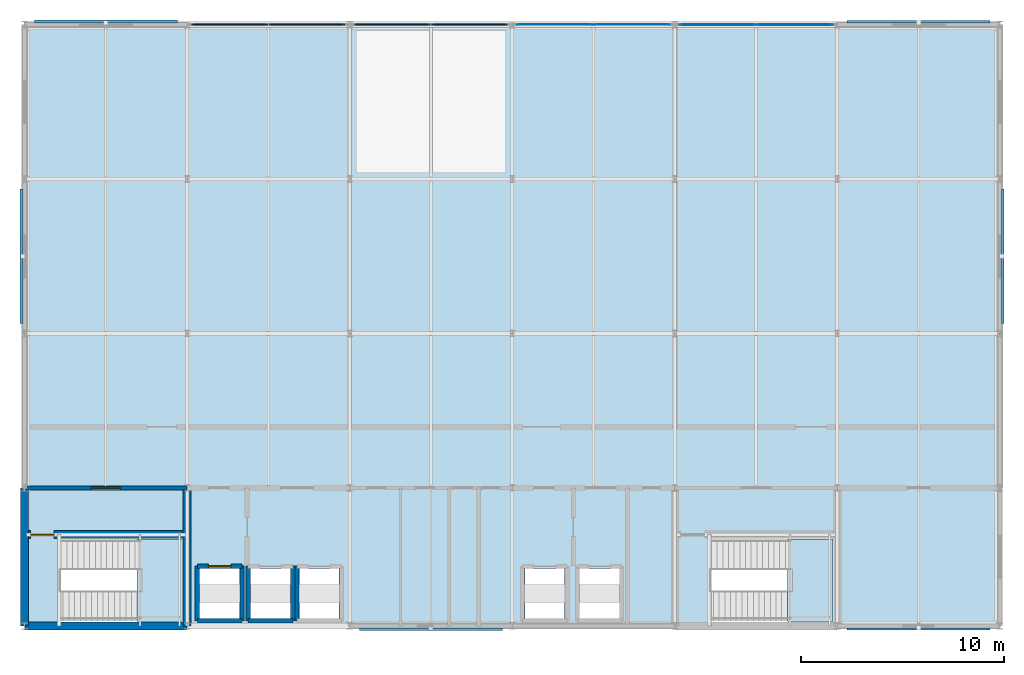
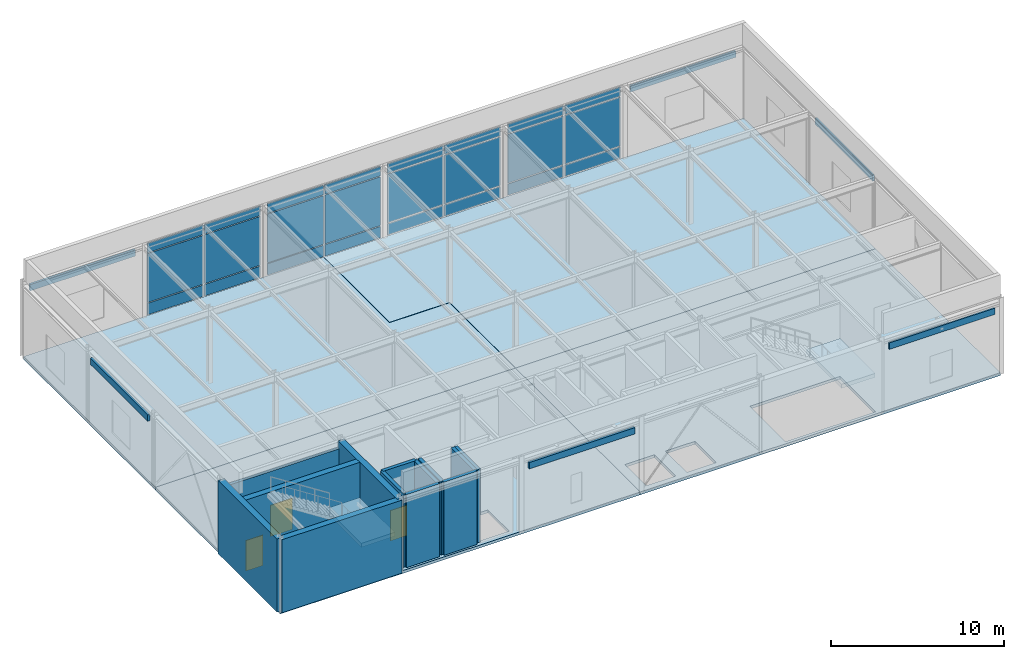
# One storey, part 8 of 12: 30 plates, 13 walls, 6 slabs, 3 doors, 3 openings, 6 elements without a shape of their own.
"""IFC4 building model written with IfcOpenShell, lengths in metres."""

from ifc_helpers import new_model, si_unit, direction, frame, frame_2d, origin, origin_2d, place, context, subcontext, project, spatial, polyline, rectangle, outline, extrude, material, layer, layer_set, type_object, element, fill, aggregate, save


model = new_model("IFC4")

# Units and contexts
model_context = context("Model", 3, precision=1e-05, world=origin(), true_north=direction((0.0, 1.0)))
body_context = subcontext(model_context, "Body", "Model", "MODEL_VIEW")
ifc_project = project(units=[si_unit("LENGTHUNIT", "METRE"), si_unit("AREAUNIT", "SQUARE_METRE"), si_unit("VOLUMEUNIT", "CUBIC_METRE"), si_unit("PLANEANGLEUNIT", "RADIAN"), si_unit("MASSUNIT", "GRAM", prefix="KILO")], contexts=[model_context])

# Site, building, storey
site_placement = place(None, origin())
site = spatial("IfcSite", under=ifc_project, at=site_placement, CompositionType="ELEMENT")
building_placement = place(site_placement, origin())
building = spatial("IfcBuilding", under=site, at=building_placement, Name="Shalkamar Park Central Library", CompositionType="ELEMENT")
storey_placement = place(building_placement, frame((0.0, 0.0, 72.300048828125)))
storey = spatial("IfcBuildingStorey", under=building, at=storey_placement, Name="L18", CompositionType="ELEMENT", Elevation=72.300048828125)

# Plates
ifc_material_1 = material(Name="Anodized bronze architectural frieze plate", Category="aluminium")
ifc_layer_1 = layer(ifc_material_1, 0.110107421875)
ifc_layer_set_1 = layer_set([ifc_layer_1], Name="BronzeSpandrelFriezePlate_110")
plate_type_1 = type_object("IfcPlateType", Name="Bronze Spandrel Frieze Plate 110", PredefinedType="USERDEFINED", material=ifc_layer_set_1)
for number, where, z_axis, x_axis, name in (
    (1, (209.0, 248.260009765625, 4.38818359375), (0.0, 0.0, 1.0), (1.0, 0.0, 0.0), "Bronze Spandrel Frieze Plate L18-059"),
    (2, (209.0, 278.139892578125, 4.38818359375), (0.0, 0.0, 1.0), (1.0, 0.0, 0.0), "Bronze Spandrel Frieze Plate L18-061"),
):
    element("IfcPlate", number, at=place(storey_placement, frame(where, z_axis=z_axis, x_axis=x_axis)), inside=storey, type_object=plate_type_1, Name=name, ObjectType="CLADDING", PredefinedType="USERDEFINED", context=body_context, shape_type="SweptSolid", body=[
        extrude(rectangle(XDim=7.028076171875, YDim=0.110107421875, at=origin_2d()), origin(), (0.0, 0.0, 1.0), 0.449951171875),
    ])
plate_1_placement = place(storey_placement, frame((213.139892578125, 266.60009765625, 4.427734375), z_axis=(0.0, 0.0, 1.0), x_axis=(1.0, 0.0, 0.0)))
element("IfcPlate", 3, at=plate_1_placement, inside=storey, type_object=plate_type_1, Name="Bronze Spandrel Frieze Plate L18-063", ObjectType="CLADDING", PredefinedType="USERDEFINED", context=body_context, shape_type="SweptSolid", body=[
    extrude(rectangle(XDim=0.110107421875, YDim=6.6279296875, at=origin_2d()), origin(), (0.0, 0.0, 1.0), 0.449951171875),
])
ifc_material_2 = material(Name="Anodized bronze stepped frieze plate", Category="aluminium")
ifc_layer_2 = layer(ifc_material_2, 0.139892578125)
ifc_layer_set_2 = layer_set([ifc_layer_2], Name="PostmodernKeystoneFriezePlate_140")
plate_type_2 = type_object("IfcPlateType", Name="Postmodern Keystone Frieze Plate 140", PredefinedType="USERDEFINED", material=ifc_layer_set_2)
for number, where, z_axis, x_axis, name in (
    (4, (185.0, 248.2451171875, 4.38818359375), (0.0, 0.0, 1.0), (1.0, 0.0, 0.0), "Bronze Spandrel Frieze Plate L18-058"),
    (5, (169.0, 278.155029296875, 4.38818359375), (0.0, 0.0, 1.0), (1.0, 0.0, 0.0), "Bronze Spandrel Frieze Plate L18-060"),
):
    element("IfcPlate", number, at=place(storey_placement, frame(where, z_axis=z_axis, x_axis=x_axis)), inside=storey, type_object=plate_type_2, Name=name, ObjectType="CLADDING", PredefinedType="USERDEFINED", context=body_context, shape_type="SweptSolid", body=[
        extrude(rectangle(XDim=7.028076171875, YDim=0.139892578125, at=origin_2d()), origin(), (0.0, 0.0, 1.0), 0.449951171875),
    ])
plate_2_placement = place(storey_placement, frame((164.844970703125, 266.60009765625, 4.427734375), z_axis=(0.0, 0.0, 1.0), x_axis=(1.0, 0.0, 0.0)))
element("IfcPlate", 6, at=plate_2_placement, inside=storey, type_object=plate_type_2, Name="Bronze Spandrel Frieze Plate L18-062", ObjectType="CLADDING", PredefinedType="USERDEFINED", context=body_context, shape_type="SweptSolid", body=[
    extrude(rectangle(XDim=0.139892578125, YDim=6.6279296875, at=origin_2d()), origin(), (0.0, 0.0, 1.0), 0.449951171875),
])

# Curtain wall, plates
ifc_material_3 = material(Name="Thermally broken aluminium and triple low-e curtain wall", Category="aluminium")
ifc_layer_3 = layer(ifc_material_3, 0.27001953125)
ifc_layer_set_3 = layer_set([ifc_layer_3], Name="UnitisedCurtainWall_113")
curtain_wall_type_1 = type_object("IfcCurtainWallType", Name="Unitised Curtain Wall 113", PredefinedType="USERDEFINED", material=ifc_layer_set_3)
curtain_wall_1_placement = place(storey_placement, origin())
curtain_wall_1 = element("IfcCurtainWall", 7, at=curtain_wall_1_placement, inside=storey, type_object=curtain_wall_type_1, Name="Unitised Curtain Wall CW-L18-170", ObjectType="UNITISED CURTAIN WALL", PredefinedType="USERDEFINED")
ifc_material_4 = material(Name="Triple-glazed solar-control glass", Category="glass")
ifc_layer_4 = layer(ifc_material_4, 0.031982421875)
ifc_layer_set_4 = layer_set([ifc_layer_4], Name="SolarControlVisionPanel_32")
plate_type_3 = type_object("IfcPlateType", Name="Solar Control Vision Panel 32", PredefinedType="CURTAIN_PANEL", material=ifc_layer_set_4)
plate_3_placement = place(storey_placement, frame((191.094482421875, 278.0, 0.06494140625), z_axis=(0.0, 0.0, 1.0), x_axis=(1.0, 0.0, 0.0)))
plate_3 = element("IfcPlate", 8, at=plate_3_placement, type_object=plate_type_3, Name="CW-113 panel 1.1", PredefinedType="CURTAIN_PANEL", context=body_context, shape_type="SweptSolid", body=[
    extrude(rectangle(XDim=3.720947265625, YDim=0.031982421875, at=origin_2d()), origin(), (0.0, 0.0, 1.0), 0.802490234375),
])
plate_4_placement = place(storey_placement, frame((191.094482421875, 278.0, 0.932373046875), z_axis=(0.0, 0.0, 1.0), x_axis=(1.0, 0.0, 0.0)))
plate_4 = element("IfcPlate", 9, at=plate_4_placement, type_object=plate_type_3, Name="CW-113 panel 1.2", PredefinedType="CURTAIN_PANEL", context=body_context, shape_type="SweptSolid", body=[
    extrude(rectangle(XDim=3.720947265625, YDim=0.031982421875, at=origin_2d()), origin(), (0.0, 0.0, 1.0), 3.43505859375),
])
plate_5_placement = place(storey_placement, frame((191.094482421875, 278.0, 4.4326171875), z_axis=(0.0, 0.0, 1.0), x_axis=(1.0, 0.0, 0.0)))
plate_5 = element("IfcPlate", 10, at=plate_5_placement, type_object=plate_type_3, Name="CW-113 panel 1.3", PredefinedType="CURTAIN_PANEL", context=body_context, shape_type="SweptSolid", body=[
    extrude(rectangle(XDim=3.720947265625, YDim=0.031982421875, at=origin_2d()), origin(), (0.0, 0.0, 1.0), 0.652587890625),
])
plate_6_placement = place(storey_placement, frame((194.8955078125, 278.0, 0.06494140625), z_axis=(0.0, 0.0, 1.0), x_axis=(1.0, 0.0, 0.0)))
plate_6 = element("IfcPlate", 11, at=plate_6_placement, type_object=plate_type_3, Name="CW-113 panel 2.1", PredefinedType="CURTAIN_PANEL", context=body_context, shape_type="SweptSolid", body=[
    extrude(rectangle(XDim=3.720947265625, YDim=0.031982421875, at=origin_2d()), origin(), (0.0, 0.0, 1.0), 0.802490234375),
])
plate_7_placement = place(storey_placement, frame((194.8955078125, 278.0, 0.932373046875), z_axis=(0.0, 0.0, 1.0), x_axis=(1.0, 0.0, 0.0)))
plate_7 = element("IfcPlate", 12, at=plate_7_placement, type_object=plate_type_3, Name="CW-113 panel 2.2", PredefinedType="CURTAIN_PANEL", context=body_context, shape_type="SweptSolid", body=[
    extrude(rectangle(XDim=3.720947265625, YDim=0.031982421875, at=origin_2d()), origin(), (0.0, 0.0, 1.0), 3.43505859375),
])
plate_8_placement = place(storey_placement, frame((194.8955078125, 278.0, 4.4326171875), z_axis=(0.0, 0.0, 1.0), x_axis=(1.0, 0.0, 0.0)))
plate_8 = element("IfcPlate", 13, at=plate_8_placement, type_object=plate_type_3, Name="CW-113 panel 2.3", PredefinedType="CURTAIN_PANEL", context=body_context, shape_type="SweptSolid", body=[
    extrude(rectangle(XDim=3.720947265625, YDim=0.031982421875, at=origin_2d()), origin(), (0.0, 0.0, 1.0), 0.652587890625),
])
aggregate(curtain_wall_1, [plate_3, plate_4, plate_5, plate_6, plate_7, plate_8])

ifc_layer_5 = layer(ifc_material_3, 0.2548828125)
ifc_layer_set_5 = layer_set([ifc_layer_5], Name="UnitisedCurtainWall_112")
curtain_wall_type_2 = type_object("IfcCurtainWallType", Name="Unitised Curtain Wall 112", PredefinedType="USERDEFINED", material=ifc_layer_set_5)
curtain_wall_2_placement = place(storey_placement, origin())
curtain_wall_2 = element("IfcCurtainWall", 14, at=curtain_wall_2_placement, inside=storey, type_object=curtain_wall_type_2, Name="Unitised Curtain Wall CW-L18-169", ObjectType="UNITISED CURTAIN WALL", PredefinedType="USERDEFINED")
ifc_material_5 = material(Name="Insulated aluminium spandrel panel", Category="aluminium")
ifc_layer_6 = layer(ifc_material_5, 0.080078125)
ifc_layer_set_6 = layer_set([ifc_layer_6], Name="SpandrelShadowboxPanel_80")
plate_type_4 = type_object("IfcPlateType", Name="Spandrel Shadowbox Panel 80", PredefinedType="CURTAIN_PANEL", material=ifc_layer_set_6)
plate_9_placement = place(storey_placement, frame((183.1044921875, 278.0, 0.06494140625), z_axis=(0.0, 0.0, 1.0), x_axis=(1.0, 0.0, 0.0)))
plate_9 = element("IfcPlate", 15, at=plate_9_placement, type_object=plate_type_4, Name="CW-112 panel 1.1", PredefinedType="CURTAIN_PANEL", context=body_context, shape_type="SweptSolid", body=[
    extrude(rectangle(XDim=3.720947265625, YDim=0.080078125, at=origin_2d()), origin(), (0.0, 0.0, 1.0), 0.802490234375),
])
plate_10_placement = place(storey_placement, frame((183.1044921875, 278.0, 0.932373046875), z_axis=(0.0, 0.0, 1.0), x_axis=(1.0, 0.0, 0.0)))
plate_10 = element("IfcPlate", 16, at=plate_10_placement, type_object=plate_type_4, Name="CW-112 panel 1.2", PredefinedType="CURTAIN_PANEL", context=body_context, shape_type="SweptSolid", body=[
    extrude(rectangle(XDim=3.720947265625, YDim=0.080078125, at=origin_2d()), origin(), (0.0, 0.0, 1.0), 3.43505859375),
])
plate_11_placement = place(storey_placement, frame((183.1044921875, 278.0, 4.4326171875), z_axis=(0.0, 0.0, 1.0), x_axis=(1.0, 0.0, 0.0)))
plate_11 = element("IfcPlate", 17, at=plate_11_placement, type_object=plate_type_4, Name="CW-112 panel 1.3", PredefinedType="CURTAIN_PANEL", context=body_context, shape_type="SweptSolid", body=[
    extrude(rectangle(XDim=3.720947265625, YDim=0.080078125, at=origin_2d()), origin(), (0.0, 0.0, 1.0), 0.652587890625),
])
plate_12_placement = place(storey_placement, frame((186.905517578125, 278.0, 0.06494140625), z_axis=(0.0, 0.0, 1.0), x_axis=(1.0, 0.0, 0.0)))
plate_12 = element("IfcPlate", 18, at=plate_12_placement, type_object=plate_type_4, Name="CW-112 panel 2.1", PredefinedType="CURTAIN_PANEL", context=body_context, shape_type="SweptSolid", body=[
    extrude(rectangle(XDim=3.720947265625, YDim=0.080078125, at=origin_2d()), origin(), (0.0, 0.0, 1.0), 0.802490234375),
])
plate_13_placement = place(storey_placement, frame((186.905517578125, 278.0, 0.932373046875), z_axis=(0.0, 0.0, 1.0), x_axis=(1.0, 0.0, 0.0)))
plate_13 = element("IfcPlate", 19, at=plate_13_placement, type_object=plate_type_4, Name="CW-112 panel 2.2", PredefinedType="CURTAIN_PANEL", context=body_context, shape_type="SweptSolid", body=[
    extrude(rectangle(XDim=3.720947265625, YDim=0.080078125, at=origin_2d()), origin(), (0.0, 0.0, 1.0), 3.43505859375),
])
plate_14_placement = place(storey_placement, frame((186.905517578125, 278.0, 4.4326171875), z_axis=(0.0, 0.0, 1.0), x_axis=(1.0, 0.0, 0.0)))
plate_14 = element("IfcPlate", 20, at=plate_14_placement, type_object=plate_type_4, Name="CW-112 panel 2.3", PredefinedType="CURTAIN_PANEL", context=body_context, shape_type="SweptSolid", body=[
    extrude(rectangle(XDim=3.720947265625, YDim=0.080078125, at=origin_2d()), origin(), (0.0, 0.0, 1.0), 0.652587890625),
])
aggregate(curtain_wall_2, [plate_9, plate_10, plate_11, plate_12, plate_13, plate_14])

# Stair, slab
ifc_material_6 = material(Name="Concrete C35/45", Category="concrete")
stair_type = type_object("IfcStairType", Name="Protected Dog Leg Stair 150x540", PredefinedType="TWO_STRAIGHT_RUN_STAIR", material=ifc_material_6)
stair_1_placement = place(storey_placement, origin())
stair_1 = element("IfcStair", 21, at=stair_1_placement, inside=storey, type_object=stair_type, Name="Protected Core Stair ST-T1-L18", PredefinedType="TWO_STRAIGHT_RUN_STAIR")
ifc_layer_7 = layer(ifc_material_6, 0.280029296875)
ifc_layer_set_7 = layer_set([ifc_layer_7], Name="Concrete C35/45")
slab_type_1 = type_object("IfcSlabType", Name="Stair Landing Slab 160", PredefinedType="LANDING", material=ifc_layer_set_7)
slab_1_placement = place(storey_placement, frame((0.0, 0.0, 2.419921875)))
slab_1 = element("IfcSlab", 22, at=slab_1_placement, type_object=slab_type_1, Name="ST-T1-L18 landing 1", PredefinedType="LANDING", context=body_context, shape_type="SweptSolid", body=[
    extrude(outline(polyline([(170.5400390625, 248.6201171875), (172.780029296875, 248.6201171875), (172.780029296875, 252.679931640625), (170.5400390625, 252.679931640625), (170.5400390625, 248.6201171875)])), origin(), (0.0, 0.0, 1.0), 0.280029296875),
])
aggregate(stair_1, [slab_1])

stair_2_placement = place(storey_placement, origin())
stair_2 = element("IfcStair", 23, at=stair_2_placement, inside=storey, type_object=stair_type, Name="Protected Core Stair ST-T2-L18", PredefinedType="TWO_STRAIGHT_RUN_STAIR")
slab_2_placement = place(storey_placement, frame((0.0, 0.0, 2.419921875)))
slab_2 = element("IfcSlab", 24, at=slab_2_placement, type_object=slab_type_1, Name="ST-T2-L18 landing 1", PredefinedType="LANDING", context=body_context, shape_type="SweptSolid", body=[
    extrude(outline(polyline([(202.5400390625, 248.6201171875), (204.780029296875, 248.6201171875), (204.780029296875, 252.679931640625), (202.5400390625, 252.679931640625), (202.5400390625, 248.6201171875)])), origin(), (0.0, 0.0, 1.0), 0.280029296875),
])
aggregate(stair_2, [slab_2])

# Slabs
ifc_layer_8 = layer(ifc_material_6, 0.199951171875)
ifc_layer_set_8 = layer_set([ifc_layer_8], Name="Concrete C35/45")
slab_type_2 = type_object("IfcSlabType", Name="Suspended Floor Slab 200", PredefinedType="FLOOR", material=ifc_layer_set_8)
slab_3_placement = place(storey_placement, frame((0.0, 0.0, -0.199951171875)))
element("IfcSlab", 25, at=slab_3_placement, inside=storey, type_object=slab_type_2, Name="Level L18 Composite Floor Slab NW", PredefinedType="FLOOR", context=body_context, shape_type="SweptSolid", body=[
    extrude(outline(polyline([(165.0, 262.800048828125), (188.989990234375, 262.800048828125), (188.989990234375, 270.389892578125), (184.989990234375, 270.389892578125), (184.989990234375, 278.0), (165.0, 278.0), (165.0, 262.800048828125)])), origin(), (0.0, 0.0, 1.0), 0.199951171875),
])
slab_4_placement = place(storey_placement, frame((0.0, 0.0, -0.199951171875)))
element("IfcSlab", 26, at=slab_4_placement, inside=storey, type_object=slab_type_2, Name="Level L18 Composite Floor Slab NE", PredefinedType="FLOOR", context=body_context, shape_type="SweptSolid", body=[
    extrude(outline(polyline([(189.010009765625, 262.800048828125), (213.0, 262.800048828125), (213.0, 278.0), (185.010009765625, 278.0), (185.010009765625, 270.409912109375), (189.010009765625, 270.409912109375), (189.010009765625, 262.800048828125)])), origin(), (0.0, 0.0, 1.0), 0.199951171875),
])
slab_5_placement = place(storey_placement, frame((0.0, 0.0, -0.199951171875)))
element("IfcSlab", 27, at=slab_5_placement, inside=storey, type_object=slab_type_2, Name="Level L18 Composite Floor Slab SW", PredefinedType="FLOOR", context=body_context, shape_type="SweptSolid", body=[
    extrude(outline(polyline([(165.0, 248.39990234375), (165.0, 262.800048828125), (189.0, 262.800048828125), (189.0, 248.39990234375), (165.0, 248.39990234375)]), holes=[polyline([(173.6201171875, 248.77001953125), (175.580078125, 248.77001953125), (175.580078125, 251.22998046875), (173.6201171875, 251.22998046875), (173.6201171875, 248.77001953125)]), polyline([(176.1201171875, 251.22998046875), (176.1201171875, 248.77001953125), (178.080078125, 248.77001953125), (178.080078125, 251.22998046875), (176.1201171875, 251.22998046875)]), polyline([(178.52001953125, 251.22998046875), (178.52001953125, 248.77001953125), (180.47998046875, 248.77001953125), (180.47998046875, 251.22998046875), (178.52001953125, 251.22998046875)]), polyline([(166.800048828125, 252.699951171875), (166.800048828125, 248.60009765625), (172.800048828125, 248.60009765625), (172.800048828125, 252.699951171875), (166.800048828125, 252.699951171875)])]), origin(), (0.0, 0.0, 1.0), 0.199951171875),
])
slab_6_placement = place(storey_placement, frame((0.0, 0.0, -0.199951171875)))
element("IfcSlab", 28, at=slab_6_placement, inside=storey, type_object=slab_type_2, Name="Level L18 Composite Floor Slab SE", PredefinedType="FLOOR", context=body_context, shape_type="SweptSolid", body=[
    extrude(outline(polyline([(189.0, 248.39990234375), (189.0, 262.800048828125), (213.0, 262.800048828125), (213.0, 248.39990234375), (189.0, 248.39990234375)]), holes=[polyline([(189.6201171875, 251.22998046875), (189.6201171875, 248.77001953125), (191.580078125, 248.77001953125), (191.580078125, 251.22998046875), (189.6201171875, 251.22998046875)]), polyline([(192.320068359375, 251.22998046875), (192.320068359375, 248.77001953125), (194.280029296875, 248.77001953125), (194.280029296875, 251.22998046875), (192.320068359375, 251.22998046875)]), polyline([(198.800048828125, 252.699951171875), (198.800048828125, 248.60009765625), (204.800048828125, 248.60009765625), (204.800048828125, 252.699951171875), (198.800048828125, 252.699951171875)])]), origin(), (0.0, 0.0, 1.0), 0.199951171875),
])

# Curtain wall, plates
ifc_layer_9 = layer(ifc_material_3, 0.260009765625)
ifc_layer_set_9 = layer_set([ifc_layer_9], Name="UnitisedCurtainWall_111")
curtain_wall_type_3 = type_object("IfcCurtainWallType", Name="Unitised Curtain Wall 111", PredefinedType="USERDEFINED", material=ifc_layer_set_9)
curtain_wall_3_placement = place(storey_placement, origin())
curtain_wall_3 = element("IfcCurtainWall", 29, at=curtain_wall_3_placement, inside=storey, type_object=curtain_wall_type_3, Name="Unitised Curtain Wall CW-L18-168", ObjectType="UNITISED CURTAIN WALL", PredefinedType="USERDEFINED")
ifc_material_7 = material(Name="Triple-glazed laminated glass", Category="glass")
ifc_layer_10 = layer(ifc_material_7, 0.06005859375)
ifc_layer_set_10 = layer_set([ifc_layer_10], Name="TripleGlazedPodiumPanel_60")
plate_type_5 = type_object("IfcPlateType", Name="Triple Glazed Podium Panel 60", PredefinedType="CURTAIN_PANEL", material=ifc_layer_set_10)
plate_15_placement = place(storey_placement, frame((175.09326171875, 278.0, 0.059814453125), z_axis=(0.0, 0.0, 1.0), x_axis=(1.0, 0.0, 0.0)))
plate_15 = element("IfcPlate", 30, at=plate_15_placement, type_object=plate_type_5, Name="CW-111 panel 1.1", PredefinedType="CURTAIN_PANEL", context=body_context, shape_type="SweptSolid", body=[
    extrude(rectangle(XDim=3.728515625, YDim=0.06005859375, at=origin_2d()), origin(), (0.0, 0.0, 1.0), 0.81005859375),
])
plate_16_placement = place(storey_placement, frame((175.09326171875, 278.0, 0.929931640625), z_axis=(0.0, 0.0, 1.0), x_axis=(1.0, 0.0, 0.0)))
plate_16 = element("IfcPlate", 31, at=plate_16_placement, type_object=plate_type_5, Name="CW-111 panel 1.2", PredefinedType="CURTAIN_PANEL", context=body_context, shape_type="SweptSolid", body=[
    extrude(rectangle(XDim=3.728515625, YDim=0.06005859375, at=origin_2d()), origin(), (0.0, 0.0, 1.0), 3.43994140625),
])
plate_17_placement = place(storey_placement, frame((175.09326171875, 278.0, 4.43017578125), z_axis=(0.0, 0.0, 1.0), x_axis=(1.0, 0.0, 0.0)))
plate_17 = element("IfcPlate", 32, at=plate_17_placement, type_object=plate_type_5, Name="CW-111 panel 1.3", PredefinedType="CURTAIN_PANEL", context=body_context, shape_type="SweptSolid", body=[
    extrude(rectangle(XDim=3.728515625, YDim=0.06005859375, at=origin_2d()), origin(), (0.0, 0.0, 1.0), 0.659912109375),
])
plate_18_placement = place(storey_placement, frame((178.896728515625, 278.0, 0.059814453125), z_axis=(0.0, 0.0, 1.0), x_axis=(1.0, 0.0, 0.0)))
plate_18 = element("IfcPlate", 33, at=plate_18_placement, type_object=plate_type_5, Name="CW-111 panel 2.1", PredefinedType="CURTAIN_PANEL", context=body_context, shape_type="SweptSolid", body=[
    extrude(rectangle(XDim=3.728515625, YDim=0.06005859375, at=origin_2d()), origin(), (0.0, 0.0, 1.0), 0.81005859375),
])
plate_19_placement = place(storey_placement, frame((178.896728515625, 278.0, 0.929931640625), z_axis=(0.0, 0.0, 1.0), x_axis=(1.0, 0.0, 0.0)))
plate_19 = element("IfcPlate", 34, at=plate_19_placement, type_object=plate_type_5, Name="CW-111 panel 2.2", PredefinedType="CURTAIN_PANEL", context=body_context, shape_type="SweptSolid", body=[
    extrude(rectangle(XDim=3.728515625, YDim=0.06005859375, at=origin_2d()), origin(), (0.0, 0.0, 1.0), 3.43994140625),
])
plate_20_placement = place(storey_placement, frame((178.896728515625, 278.0, 4.43017578125), z_axis=(0.0, 0.0, 1.0), x_axis=(1.0, 0.0, 0.0)))
plate_20 = element("IfcPlate", 35, at=plate_20_placement, type_object=plate_type_5, Name="CW-111 panel 2.3", PredefinedType="CURTAIN_PANEL", context=body_context, shape_type="SweptSolid", body=[
    extrude(rectangle(XDim=3.728515625, YDim=0.06005859375, at=origin_2d()), origin(), (0.0, 0.0, 1.0), 0.659912109375),
])
aggregate(curtain_wall_3, [plate_15, plate_16, plate_17, plate_18, plate_19, plate_20])

ifc_layer_11 = layer(ifc_material_3, 0.264892578125)
ifc_layer_set_11 = layer_set([ifc_layer_11], Name="UnitisedCurtainWall_114")
curtain_wall_type_4 = type_object("IfcCurtainWallType", Name="Unitised Curtain Wall 114", PredefinedType="USERDEFINED", material=ifc_layer_set_11)
curtain_wall_4_placement = place(storey_placement, origin())
curtain_wall_4 = element("IfcCurtainWall", 36, at=curtain_wall_4_placement, inside=storey, type_object=curtain_wall_type_4, Name="Unitised Curtain Wall CW-L18-171", ObjectType="UNITISED CURTAIN WALL", PredefinedType="USERDEFINED")
ifc_material_8 = material(Name="Triple-glazed low-e safety glass", Category="glass")
ifc_layer_12 = layer(ifc_material_8, 0.0439453125)
ifc_layer_set_12 = layer_set([ifc_layer_12], Name="TripleGlazedVisionPanel_44")
plate_type_6 = type_object("IfcPlateType", Name="Triple Glazed Vision Panel 44", PredefinedType="CURTAIN_PANEL", material=ifc_layer_set_12)
plate_21_placement = place(storey_placement, frame((199.105712890625, 278.0, 0.070068359375), z_axis=(0.0, 0.0, 1.0), x_axis=(1.0, 0.0, 0.0)))
plate_21 = element("IfcPlate", 37, at=plate_21_placement, type_object=plate_type_6, Name="CW-114 panel 1.1", PredefinedType="CURTAIN_PANEL", context=body_context, shape_type="SweptSolid", body=[
    extrude(rectangle(XDim=3.71337890625, YDim=0.0439453125, at=origin_2d()), origin(), (0.0, 0.0, 1.0), 0.794921875),
])
plate_22_placement = place(storey_placement, frame((199.105712890625, 278.0, 0.93505859375), z_axis=(0.0, 0.0, 1.0), x_axis=(1.0, 0.0, 0.0)))
plate_22 = element("IfcPlate", 38, at=plate_22_placement, type_object=plate_type_6, Name="CW-114 panel 1.2", PredefinedType="CURTAIN_PANEL", context=body_context, shape_type="SweptSolid", body=[
    extrude(rectangle(XDim=3.71337890625, YDim=0.0439453125, at=origin_2d()), origin(), (0.0, 0.0, 1.0), 3.429931640625),
])
plate_23_placement = place(storey_placement, frame((199.105712890625, 278.0, 4.43505859375), z_axis=(0.0, 0.0, 1.0), x_axis=(1.0, 0.0, 0.0)))
plate_23 = element("IfcPlate", 39, at=plate_23_placement, type_object=plate_type_6, Name="CW-114 panel 1.3", PredefinedType="CURTAIN_PANEL", context=body_context, shape_type="SweptSolid", body=[
    extrude(rectangle(XDim=3.71337890625, YDim=0.0439453125, at=origin_2d()), origin(), (0.0, 0.0, 1.0), 0.64501953125),
])
plate_24_placement = place(storey_placement, frame((202.904296875, 278.0, 0.070068359375), z_axis=(0.0, 0.0, 1.0), x_axis=(1.0, 0.0, 0.0)))
plate_24 = element("IfcPlate", 40, at=plate_24_placement, type_object=plate_type_6, Name="CW-114 panel 2.1", PredefinedType="CURTAIN_PANEL", context=body_context, shape_type="SweptSolid", body=[
    extrude(rectangle(XDim=3.71337890625, YDim=0.0439453125, at=origin_2d()), origin(), (0.0, 0.0, 1.0), 0.794921875),
])
plate_25_placement = place(storey_placement, frame((202.904296875, 278.0, 0.93505859375), z_axis=(0.0, 0.0, 1.0), x_axis=(1.0, 0.0, 0.0)))
plate_25 = element("IfcPlate", 41, at=plate_25_placement, type_object=plate_type_6, Name="CW-114 panel 2.2", PredefinedType="CURTAIN_PANEL", context=body_context, shape_type="SweptSolid", body=[
    extrude(rectangle(XDim=3.71337890625, YDim=0.0439453125, at=origin_2d()), origin(), (0.0, 0.0, 1.0), 3.429931640625),
])
plate_26_placement = place(storey_placement, frame((202.904296875, 278.0, 4.43505859375), z_axis=(0.0, 0.0, 1.0), x_axis=(1.0, 0.0, 0.0)))
plate_26 = element("IfcPlate", 42, at=plate_26_placement, type_object=plate_type_6, Name="CW-114 panel 2.3", PredefinedType="CURTAIN_PANEL", context=body_context, shape_type="SweptSolid", body=[
    extrude(rectangle(XDim=3.71337890625, YDim=0.0439453125, at=origin_2d()), origin(), (0.0, 0.0, 1.0), 0.64501953125),
])
aggregate(curtain_wall_4, [plate_21, plate_22, plate_23, plate_24, plate_25, plate_26])

# Wall, opening, door
ifc_material_9 = material(Name="Fire-rated corridor partition wall", Category="masonry")
ifc_layer_13 = layer(ifc_material_9, 0.199951171875)
ifc_layer_set_13 = layer_set([ifc_layer_13], Name="CorridorFireWall_200")
wall_type_1 = type_object("IfcWallType", Name="Corridor Fire Wall 200", PredefinedType="PARTITIONING", material=ifc_layer_set_13)
wall_1_placement = place(storey_placement, frame((165.0, 255.199951171875, 0.0), z_axis=(0.0, 0.0, 1.0), x_axis=(1.0, 0.0, 0.0)))
wall_1 = element("IfcWall", 43, at=wall_1_placement, inside=storey, type_object=wall_type_1, Name="CORE-T1 Vestibule North Wall (L18)", PredefinedType="PARTITIONING", context=body_context, shape_type="SweptSolid", body=[
    extrude(rectangle(XDim=8.0, YDim=0.199951171875, at=frame_2d((4.0, 0.0))), origin(), (0.0, 0.0, 1.0), 4.64794921875),
])
opening_1_placement = place(wall_1_placement, frame((3.27490234375, 0.0, 0.0)))
opening_1 = element("IfcOpeningElement", 44, at=opening_1_placement, cuts=wall_1, Name="Opening DR-ST-T1-L18-VEST", PredefinedType="OPENING", context=body_context, shape_type="SweptSolid", body=[
    extrude(rectangle(XDim=1.449951171875, YDim=2.199951171875, at=frame_2d((0.72509765625, 1.10009765625))), frame((0.0, 0.11474609375, 0.0), z_axis=(0.0, -1.0, 0.0), x_axis=(1.0, 0.0, 0.0)), (0.0, 0.0, 1.0), 0.229736328125),
])
ifc_material_10 = material(Name="Steel S355", Category="steel")
door_type_1 = type_object("IfcDoorType", Name="Stair Vestibule Door 1450x2200", OperationType="DOUBLE_DOOR_SINGLE_SWING", PredefinedType="DOOR", material=ifc_material_10)
door_1_placement = place(opening_1_placement, frame((1.449951171875, 0.0, 0.0), z_axis=(0.0, 0.0, 1.0), x_axis=(-1.0, 0.0, 0.0)))
door_1 = element("IfcDoor", 45, at=door_1_placement, inside=storey, type_object=door_type_1, Name="Protected Stair ST-T1 Vestibule Door (L18)", OperationType="DOUBLE_DOOR_SINGLE_SWING", OverallHeight=2.199951171875, OverallWidth=1.449951171875, PredefinedType="DOOR", context=body_context, shape_type="SweptSolid", body=[
    extrude(rectangle(XDim=1.449951171875, YDim=2.199951171875, at=frame_2d((0.72509765625, 1.10009765625))), frame((0.0, 0.02490234375, 0.0), z_axis=(0.0, -1.0, 0.0), x_axis=(1.0, 0.0, 0.0)), (0.0, 0.0, 1.0), 0.050048828125),
])
fill(opening_1, door_1)

# Walls
ifc_material_11 = material(Name="Concrete C40/50", Category="concrete")
ifc_layer_14 = layer(ifc_material_11, 0.219970703125)
ifc_layer_set_14 = layer_set([ifc_layer_14], Name="Concrete C40/50")
wall_type_2 = type_object("IfcWallType", Name="Lift Hoistway Shear Wall 220", PredefinedType="SHEAR", material=ifc_layer_set_14)
wall_2_placement = place(storey_placement, frame((173.5, 248.64990234375, 0.0), z_axis=(0.0, 0.0, 1.0), x_axis=(1.0, 0.0, 0.0)))
element("IfcWall", 46, at=wall_2_placement, inside=storey, type_object=wall_type_2, Name="Lift FFL-01 Hoistway South Wall (L18)", PredefinedType="SHEAR", context=body_context, shape_type="SweptSolid", body=[
    extrude(rectangle(XDim=2.199951171875, YDim=0.219970703125, at=frame_2d((1.10009765625, 0.0))), origin(), (0.0, 0.0, 1.0), 5.14990234375),
])
for number, where, z_axis, x_axis, name in (
    (47, (173.5, 248.64990234375, 0.0), (0.0, 0.0, 1.0), (0.0, 1.0, 0.0), "Lift FFL-01 Hoistway West Wall (L18)"),
    (48, (175.699951171875, 248.64990234375, 0.0), (0.0, 0.0, 1.0), (0.0, 1.0, 0.0), "Lift FFL-01 Hoistway East Wall (L18)"),
):
    element("IfcWall", number, at=place(storey_placement, frame(where, z_axis=z_axis, x_axis=x_axis)), inside=storey, type_object=wall_type_2, Name=name, PredefinedType="SHEAR", context=body_context, shape_type="SweptSolid", body=[
        extrude(rectangle(XDim=2.7001953125, YDim=0.219970703125, at=frame_2d((1.35009765625, 0.0))), origin(), (0.0, 0.0, 1.0), 5.14990234375),
    ])

# Wall, opening, door
wall_3_placement = place(storey_placement, frame((173.5, 251.35009765625, 0.0), z_axis=(0.0, 0.0, 1.0), x_axis=(1.0, 0.0, 0.0)))
wall_3 = element("IfcWall", 49, at=wall_3_placement, inside=storey, type_object=wall_type_2, Name="Lift FFL-01 Hoistway Front Wall (L18)", PredefinedType="SHEAR", context=body_context, shape_type="SweptSolid", body=[
    extrude(rectangle(XDim=2.199951171875, YDim=0.219970703125, at=frame_2d((1.10009765625, 0.0))), origin(), (0.0, 0.0, 1.0), 5.14990234375),
])
opening_2_placement = place(wall_3_placement, frame((0.550048828125, 0.0, 0.0)))
opening_2 = element("IfcOpeningElement", 50, at=opening_2_placement, cuts=wall_3, Name="Opening LD-FFL-01-L18", PredefinedType="OPENING", context=body_context, shape_type="SweptSolid", body=[
    extrude(rectangle(XDim=1.10009765625, YDim=2.14990234375, at=frame_2d((0.550048828125, 1.074951171875))), frame((0.0, 0.125, 0.0), z_axis=(0.0, -1.0, 0.0), x_axis=(1.0, 0.0, 0.0)), (0.0, 0.0, 1.0), 0.249755859375),
])
door_type_2 = type_object("IfcDoorType", Name="Fire Lift Landing Door 1100x2150", OperationType="DOUBLE_DOOR_SLIDING", PredefinedType="USERDEFINED", material=ifc_material_10)
door_2_placement = place(opening_2_placement, origin())
door_2 = element("IfcDoor", 51, at=door_2_placement, inside=storey, type_object=door_type_2, Name="Lift FFL-01 Sliding Landing Door (L18)", ObjectType="SLIDING LANDING DOOR", OperationType="DOUBLE_DOOR_SLIDING", OverallHeight=2.14990234375, OverallWidth=1.10009765625, PredefinedType="USERDEFINED", context=body_context, shape_type="SweptSolid", body=[
    extrude(rectangle(XDim=1.10009765625, YDim=2.14990234375, at=frame_2d((0.550048828125, 1.074951171875))), frame((0.0, 0.02490234375, 0.0), z_axis=(0.0, -1.0, 0.0), x_axis=(1.0, 0.0, 0.0)), (0.0, 0.0, 1.0), 0.050048828125),
])
fill(opening_2, door_2)

# Walls
wall_4_placement = place(storey_placement, frame((176.0, 248.64990234375, 0.0), z_axis=(0.0, 0.0, 1.0), x_axis=(1.0, 0.0, 0.0)))
element("IfcWall", 52, at=wall_4_placement, inside=storey, type_object=wall_type_2, Name="Lift LT-01 Hoistway South Wall (L18)", PredefinedType="SHEAR", context=body_context, shape_type="SweptSolid", body=[
    extrude(rectangle(XDim=2.199951171875, YDim=0.219970703125, at=frame_2d((1.10009765625, 0.0))), origin(), (0.0, 0.0, 1.0), 5.14990234375),
])
for number, where, z_axis, x_axis, name in (
    (53, (176.0, 248.64990234375, 0.0), (0.0, 0.0, 1.0), (0.0, 1.0, 0.0), "Lift LT-01 Hoistway West Wall (L18)"),
    (54, (178.199951171875, 248.64990234375, 0.0), (0.0, 0.0, 1.0), (0.0, 1.0, 0.0), "Lift LT-01 Hoistway East Wall (L18)"),
    (55, (178.39990234375, 248.64990234375, 0.0), (0.0, 0.0, 1.0), (0.0, 1.0, 0.0), "Lift LT-02 Hoistway West Wall (L18)"),
):
    element("IfcWall", number, at=place(storey_placement, frame(where, z_axis=z_axis, x_axis=x_axis)), inside=storey, type_object=wall_type_2, Name=name, PredefinedType="SHEAR", context=body_context, shape_type="SweptSolid", body=[
        extrude(rectangle(XDim=2.7001953125, YDim=0.219970703125, at=frame_2d((1.35009765625, 0.0))), origin(), (0.0, 0.0, 1.0), 5.14990234375),
    ])
ifc_layer_15 = layer(ifc_material_11, 0.39990234375)
ifc_layer_set_15 = layer_set([ifc_layer_15], Name="Concrete C40/50")
wall_type_3 = type_object("IfcWallType", Name="Tower Core Shear Wall 400", PredefinedType="SHEAR", material=ifc_layer_set_15)
wall_5_placement = place(storey_placement, frame((165.0, 248.39990234375, 0.0), z_axis=(0.0, 0.0, 1.0), x_axis=(1.0, 0.0, 0.0)))
element("IfcWall", 56, at=wall_5_placement, inside=storey, type_object=wall_type_3, Name="CORE-T1 South Shear Wall (L18)", PredefinedType="SHEAR", context=body_context, shape_type="SweptSolid", body=[
    extrude(rectangle(XDim=8.0, YDim=0.39990234375, at=frame_2d((4.0, 0.0))), origin(), (0.0, 0.0, 1.0), 5.14990234375),
])
for number, where, z_axis, x_axis, name in (
    (57, (165.0, 248.39990234375, 0.0), (0.0, 0.0, 1.0), (0.0, 1.0, 0.0), "CORE-T1 West Shear Wall (L18)"),
    (58, (173.0, 248.39990234375, 0.0), (0.0, 0.0, 1.0), (0.0, 1.0, 0.0), "CORE-T1 East Shear Wall (L18)"),
):
    element("IfcWall", number, at=place(storey_placement, frame(where, z_axis=z_axis, x_axis=x_axis)), inside=storey, type_object=wall_type_3, Name=name, PredefinedType="SHEAR", context=body_context, shape_type="SweptSolid", body=[
        extrude(rectangle(XDim=6.800048828125, YDim=0.39990234375, at=frame_2d((3.39990234375, 0.0))), origin(), (0.0, 0.0, 1.0), 5.14990234375),
    ])

# Wall, opening, door
wall_6_placement = place(storey_placement, frame((165.0, 252.89990234375, 0.0), z_axis=(0.0, 0.0, 1.0), x_axis=(1.0, 0.0, 0.0)))
wall_6 = element("IfcWall", 59, at=wall_6_placement, inside=storey, type_object=wall_type_3, Name="CORE-T1 Stairwell Wall (L18)", PredefinedType="SHEAR", context=body_context, shape_type="SweptSolid", body=[
    extrude(rectangle(XDim=8.0, YDim=0.39990234375, at=frame_2d((4.0, 0.0))), origin(), (0.0, 0.0, 1.0), 5.14990234375),
])
opening_3_placement = place(wall_6_placement, frame((0.300048828125, 0.0, 0.0)))
opening_3 = element("IfcOpeningElement", 60, at=opening_3_placement, cuts=wall_6, Name="Opening DR-ST-T1-L18-IN", PredefinedType="OPENING", context=body_context, shape_type="SweptSolid", body=[
    extrude(rectangle(XDim=1.14990234375, YDim=2.14990234375, at=frame_2d((0.574951171875, 1.074951171875))), frame((0.0, 0.21484375, 0.0), z_axis=(0.0, -1.0, 0.0), x_axis=(1.0, 0.0, 0.0)), (0.0, 0.0, 1.0), 0.4296875),
])
door_type_3 = type_object("IfcDoorType", Name="Stair Core Exit Door 1150x2150", OperationType="NOTDEFINED", PredefinedType="DOOR", material=ifc_material_10)
door_3_placement = place(opening_3_placement, frame((1.14990234375, 0.0, 0.0), z_axis=(0.0, 0.0, 1.0), x_axis=(-1.0, 0.0, 0.0)))
door_3 = element("IfcDoor", 61, at=door_3_placement, inside=storey, type_object=door_type_3, Name="Protected Stair ST-T1 Exit Door (L18)", OperationType="SINGLE_SWING_RIGHT", OverallHeight=2.14990234375, OverallWidth=1.14990234375, PredefinedType="DOOR", context=body_context, shape_type="SweptSolid", body=[
    extrude(rectangle(XDim=1.14990234375, YDim=2.14990234375, at=frame_2d((0.574951171875, 1.074951171875))), frame((0.0, 0.02490234375, 0.0), z_axis=(0.0, -1.0, 0.0), x_axis=(1.0, 0.0, 0.0)), (0.0, 0.0, 1.0), 0.050048828125),
])
fill(opening_3, door_3)

save(model, "model.ifc")
